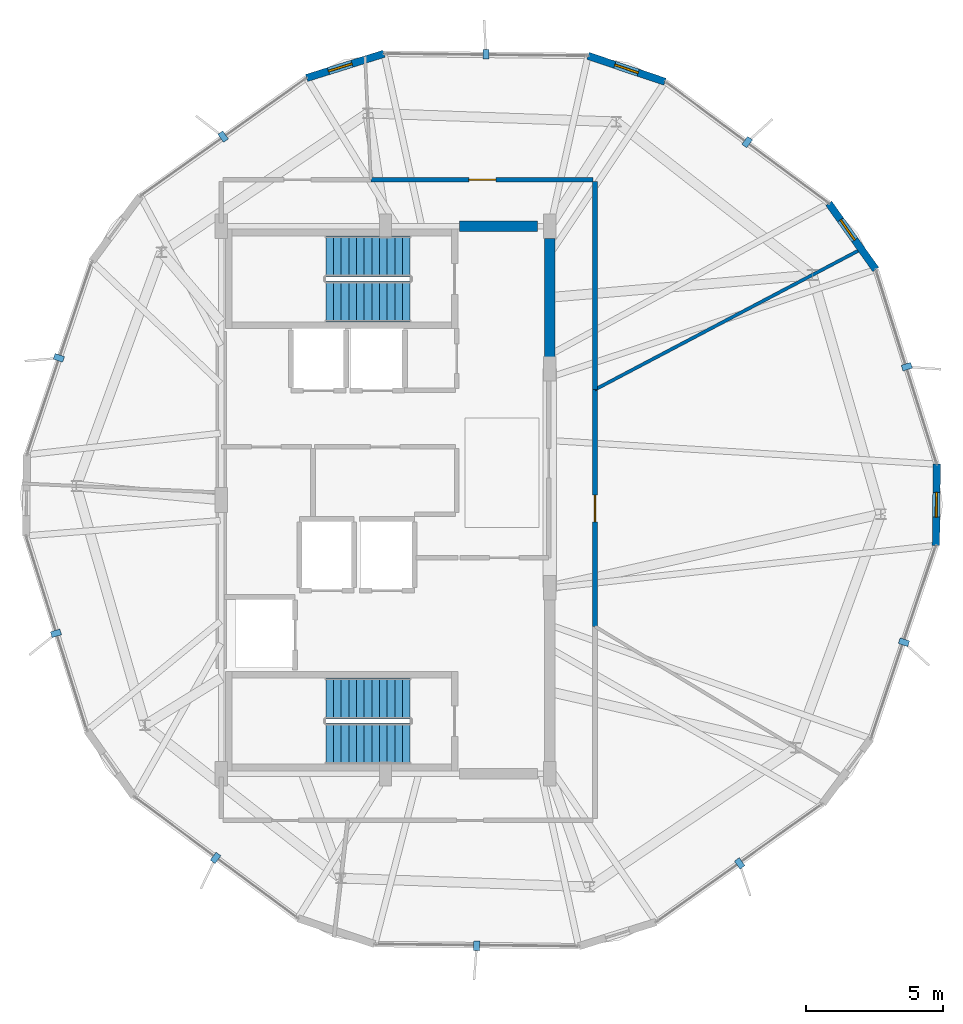
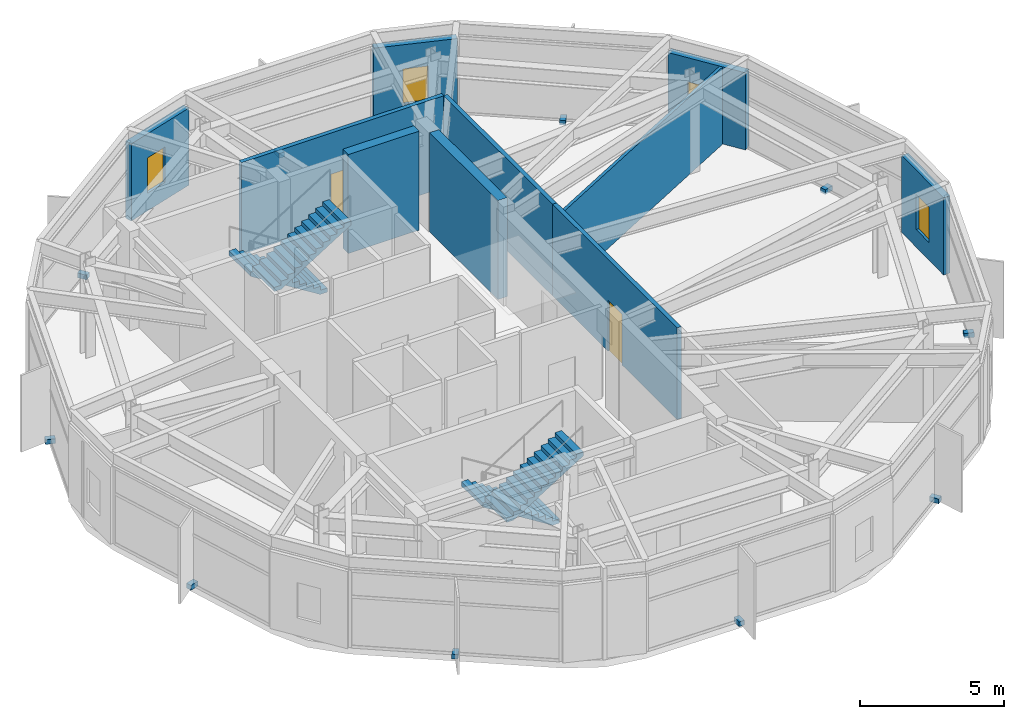
# One storey, part 16 of 19: 10 discrete accessories, 10 walls, 4 stair flights, 4 windows, 2 doors, 6 openings, 2 elements without a shape of their own.
"""IFC4 building model written with IfcOpenShell, lengths in metres."""

from ifc_helpers import new_model, si_unit, direction, frame, frame_2d, origin, origin_2d, place, context, subcontext, project, spatial, polyline, rectangle, outline, extrude, material, layer, layer_set, type_object, element, fill, aggregate, save


model = new_model("IFC4")

# Units and contexts
model_context = context("Model", 3, precision=1e-05, world=origin(), true_north=direction((0.0, 1.0)))
body_context = subcontext(model_context, "Body", "Model", "MODEL_VIEW")
ifc_project = project(units=[si_unit("LENGTHUNIT", "METRE"), si_unit("AREAUNIT", "SQUARE_METRE"), si_unit("VOLUMEUNIT", "CUBIC_METRE"), si_unit("PLANEANGLEUNIT", "RADIAN"), si_unit("MASSUNIT", "GRAM", prefix="KILO")], contexts=[model_context])

# Site, building, storey
site_placement = place(None, origin())
site = spatial("IfcSite", under=ifc_project, at=site_placement, CompositionType="ELEMENT")
building_placement = place(site_placement, origin())
building = spatial("IfcBuilding", under=site, at=building_placement, Name="Soratama Intermodal Tower", CompositionType="ELEMENT")
storey_placement = place(building_placement, frame((0.0, 0.0, 297.25)))
storey = spatial("IfcBuildingStorey", under=building, at=storey_placement, Name="L75", CompositionType="ELEMENT", Elevation=297.25)

# Wall, opening, window
ifc_material_1 = material(Name="Concrete f'c 42 MPa", Category="concrete")
ifc_layer_1 = layer(ifc_material_1, 0.27001953125)
ifc_layer_set_1 = layer_set([ifc_layer_1], Name="Concrete f'c 42 MPa")
wall_type_1 = type_object("IfcWallType", Name="EW-CRN-270", PredefinedType="SOLIDWALL", material=ifc_layer_set_1)
wall_1_placement = place(storey_placement, frame((38.5458984375, 41.30126953125, 0.0), z_axis=(0.0, 0.0, 1.0), x_axis=(-0.954232173164, -0.299066814772, 0.0)))
wall_1 = element("IfcWall", 1, at=wall_1_placement, inside=storey, type_object=wall_type_1, Name="L75 Corner Closure Wall 01", PredefinedType="SOLIDWALL", context=body_context, shape_type="SweptSolid", body=[
    extrude(rectangle(XDim=2.966552734375, YDim=0.27001953125, at=frame_2d((1.4833984375, 0.0))), origin(), (0.0, 0.0, 1.0), 3.27392578125),
])
opening_1_placement = place(wall_1_placement, frame((1.227783203125, 0.0, 0.75)))
opening_1 = element("IfcOpeningElement", 2, at=opening_1_placement, cuts=wall_1, Name="Opening WN-6", PredefinedType="OPENING", context=body_context, shape_type="SweptSolid", body=[
    extrude(rectangle(XDim=0.89990234375, YDim=1.5, at=frame_2d((0.449951171875, 0.75))), frame((0.0, 0.14501953125, 0.0), z_axis=(0.0, -1.0, 0.0), x_axis=(1.0, 0.0, 0.0)), (0.0, 0.0, 1.0), 0.2900390625),
])
ifc_material_2 = material(Name="Double-glazed aluminium window", Category="aluminium")
window_type = type_object("IfcWindowType", Name="WN-FAC-900", PartitioningType="SINGLE_PANEL", PredefinedType="WINDOW", material=ifc_material_2)
window_1_placement = place(opening_1_placement, origin())
window_1 = element("IfcWindow", 3, at=window_1_placement, inside=storey, type_object=window_type, Name="L75 Corner Window 01", OverallHeight=1.5, OverallWidth=0.89990234375, PartitioningType="SINGLE_PANEL", PredefinedType="WINDOW", context=body_context, shape_type="SweptSolid", body=[
    extrude(rectangle(XDim=0.89990234375, YDim=1.5, at=frame_2d((0.449951171875, 0.75))), frame((0.0, 0.030029296875, 0.0), z_axis=(0.0, -1.0, 0.0), x_axis=(1.0, 0.0, 0.0)), (0.0, 0.0, 1.0), 0.06005859375),
])
fill(opening_1, window_1)

wall_2_placement = place(storey_placement, frame((58.70166015625, 23.3427734375, 0.0), z_axis=(0.0, 0.0, 1.0), x_axis=(0.010452103923, 0.99994537527, 0.0)))
wall_2 = element("IfcWall", 4, at=wall_2_placement, inside=storey, type_object=wall_type_1, Name="L75 Corner Closure Wall 08", PredefinedType="SOLIDWALL", context=body_context, shape_type="SweptSolid", body=[
    extrude(rectangle(XDim=2.966552734375, YDim=0.27001953125, at=frame_2d((1.4833984375, 0.0))), origin(), (0.0, 0.0, 1.0), 3.27392578125),
])
opening_2_placement = place(wall_2_placement, frame((1.033203125, 0.0, 0.75)))
opening_2 = element("IfcOpeningElement", 5, at=opening_2_placement, cuts=wall_2, Name="Opening WN-6", PredefinedType="OPENING", context=body_context, shape_type="SweptSolid", body=[
    extrude(rectangle(XDim=0.89990234375, YDim=1.5, at=frame_2d((0.449951171875, 0.75))), frame((0.0, 0.14501953125, 0.0), z_axis=(0.0, -1.0, 0.0), x_axis=(1.0, 0.0, 0.0)), (0.0, 0.0, 1.0), 0.2900390625),
])
window_2_placement = place(opening_2_placement, origin())
window_2 = element("IfcWindow", 6, at=window_2_placement, inside=storey, type_object=window_type, Name="L75 Corner Window 08", OverallHeight=1.5, OverallWidth=0.89990234375, PartitioningType="SINGLE_PANEL", PredefinedType="WINDOW", context=body_context, shape_type="SweptSolid", body=[
    extrude(rectangle(XDim=0.89990234375, YDim=1.5, at=frame_2d((0.449951171875, 0.75))), frame((0.0, 0.030029296875, 0.0), z_axis=(0.0, -1.0, 0.0), x_axis=(1.0, 0.0, 0.0)), (0.0, 0.0, 1.0), 0.06005859375),
])
fill(opening_2, window_2)

wall_3_placement = place(storey_placement, frame((56.505126953125, 33.41748046875, 0.0), z_axis=(0.0, 0.0, 1.0), x_axis=(-0.579274768915, 0.81513234637, 0.0)))
wall_3 = element("IfcWall", 7, at=wall_3_placement, inside=storey, type_object=wall_type_1, Name="L75 Corner Closure Wall 09", PredefinedType="SOLIDWALL", context=body_context, shape_type="SweptSolid", body=[
    extrude(rectangle(XDim=2.966552734375, YDim=0.27001953125, at=frame_2d((1.4833984375, 0.0))), origin(), (0.0, 0.0, 1.0), 3.27392578125),
])
opening_3_placement = place(wall_3_placement, frame((1.324951171875, 0.0, 0.75)))
opening_3 = element("IfcOpeningElement", 8, at=opening_3_placement, cuts=wall_3, Name="Opening WN-6", PredefinedType="OPENING", context=body_context, shape_type="SweptSolid", body=[
    extrude(rectangle(XDim=0.89990234375, YDim=1.5, at=frame_2d((0.449951171875, 0.75))), frame((0.0, 0.14501953125, 0.0), z_axis=(0.0, -1.0, 0.0), x_axis=(1.0, 0.0, 0.0)), (0.0, 0.0, 1.0), 0.2900390625),
])
window_3_placement = place(opening_3_placement, origin())
window_3 = element("IfcWindow", 9, at=window_3_placement, inside=storey, type_object=window_type, Name="L75 Corner Window 09", OverallHeight=1.5, OverallWidth=0.89990234375, PartitioningType="SINGLE_PANEL", PredefinedType="WINDOW", context=body_context, shape_type="SweptSolid", body=[
    extrude(rectangle(XDim=0.89990234375, YDim=1.5, at=frame_2d((0.449951171875, 0.75))), frame((0.0, 0.030029296875, 0.0), z_axis=(0.0, -1.0, 0.0), x_axis=(1.0, 0.0, 0.0)), (0.0, 0.0, 1.0), 0.06005859375),
])
fill(opening_3, window_3)

wall_4_placement = place(storey_placement, frame((48.806396484375, 40.277099609375, 0.0), z_axis=(0.0, 0.0, 1.0), x_axis=(-0.947790765735, 0.318892872903, 0.0)))
wall_4 = element("IfcWall", 10, at=wall_4_placement, inside=storey, type_object=wall_type_1, Name="L75 Corner Closure Wall 10", PredefinedType="SOLIDWALL", context=body_context, shape_type="SweptSolid", body=[
    extrude(rectangle(XDim=2.966552734375, YDim=0.27001953125, at=frame_2d((1.4833984375, 0.0))), origin(), (0.0, 0.0, 1.0), 3.27392578125),
])
opening_4_placement = place(wall_4_placement, frame((1.033203125, 0.0, 0.75)))
opening_4 = element("IfcOpeningElement", 11, at=opening_4_placement, cuts=wall_4, Name="Opening WN-6", PredefinedType="OPENING", context=body_context, shape_type="SweptSolid", body=[
    extrude(rectangle(XDim=0.89990234375, YDim=1.5, at=frame_2d((0.449951171875, 0.75))), frame((0.0, 0.14501953125, 0.0), z_axis=(0.0, -1.0, 0.0), x_axis=(1.0, 0.0, 0.0)), (0.0, 0.0, 1.0), 0.2900390625),
])
window_4_placement = place(opening_4_placement, origin())
window_4 = element("IfcWindow", 12, at=window_4_placement, inside=storey, type_object=window_type, Name="L75 Corner Window 10", OverallHeight=1.5, OverallWidth=0.89990234375, PartitioningType="SINGLE_PANEL", PredefinedType="WINDOW", context=body_context, shape_type="SweptSolid", body=[
    extrude(rectangle(XDim=0.89990234375, YDim=1.5, at=frame_2d((0.449951171875, 0.75))), frame((0.0, 0.030029296875, 0.0), z_axis=(0.0, -1.0, 0.0), x_axis=(1.0, 0.0, 0.0)), (0.0, 0.0, 1.0), 0.06005859375),
])
fill(opening_4, window_4)

# Wall, opening, door
ifc_material_3 = material(Name="Fire-rated gypsum stud partition", Category="concrete")
ifc_layer_2 = layer(ifc_material_3, 0.169921875)
ifc_layer_set_2 = layer_set([ifc_layer_2], Name="Fire-rated gypsum stud partition")
wall_type_2 = type_object("IfcWallType", Name="IW-PART-R170", PredefinedType="PARTITIONING", material=ifc_layer_set_2)
wall_5_placement = place(storey_placement, frame((46.25, 29.034912109375, 0.0), z_axis=(0.0, 0.0, 1.0), x_axis=(0.0, -1.0, 0.0)))
wall_5 = element("IfcWall", 13, at=wall_5_placement, inside=storey, type_object=wall_type_2, Name="L75 Partition W-L75-TP004", PredefinedType="PARTITIONING", context=body_context, shape_type="SweptSolid", body=[
    extrude(rectangle(XDim=8.656005859375, YDim=0.169921875, at=frame_2d((4.328125, 0.0))), origin(), (0.0, 0.0, 1.0), 3.89501953125),
])
opening_5_placement = place(wall_5_placement, frame((3.85302734375, 0.0, 0.0)))
opening_5 = element("IfcOpeningElement", 14, at=opening_5_placement, cuts=wall_5, Name="Opening ID-5", PredefinedType="OPENING", context=body_context, shape_type="SweptSolid", body=[
    extrude(rectangle(XDim=0.97998046875, YDim=2.14990234375, at=frame_2d((0.489990234375, 1.074951171875))), frame((0.0, 0.094970703125, 0.0), z_axis=(0.0, -1.0, 0.0), x_axis=(1.0, 0.0, 0.0)), (0.0, 0.0, 1.0), 0.18994140625),
])
ifc_material_4 = material(Name="Solid hardwood acoustic door", Category="wood")
door_type = type_object("IfcDoorType", Name="DR-OFF-980", OperationType="NOTDEFINED", PredefinedType="DOOR", material=ifc_material_4)
door_1_placement = place(opening_5_placement, origin())
door_1 = element("IfcDoor", 15, at=door_1_placement, inside=storey, type_object=door_type, Name="L75 Door D-L75-TP002", OperationType="SINGLE_SWING_LEFT", OverallHeight=2.14990234375, OverallWidth=0.97998046875, PredefinedType="DOOR", context=body_context, shape_type="SweptSolid", body=[
    extrude(rectangle(XDim=0.97998046875, YDim=2.14990234375, at=frame_2d((0.489990234375, 1.074951171875))), frame((0.0, 0.02490234375, 0.0), z_axis=(0.0, -1.0, 0.0), x_axis=(1.0, 0.0, 0.0)), (0.0, 0.0, 1.0), 0.050048828125),
])
fill(opening_5, door_1)

wall_6_placement = place(storey_placement, frame((38.06005859375, 36.699951171875, 0.0), z_axis=(0.0, 0.0, 1.0), x_axis=(1.0, 0.0, 0.0)))
wall_6 = element("IfcWall", 16, at=wall_6_placement, inside=storey, type_object=wall_type_2, Name="L75 Partition W-L75-TP005", PredefinedType="PARTITIONING", context=body_context, shape_type="SweptSolid", body=[
    extrude(rectangle(XDim=8.119873046875, YDim=0.169921875, at=frame_2d((4.06005859375, 0.0))), origin(), (0.0, 0.0, 1.0), 3.89501953125),
])
opening_6_placement = place(wall_6_placement, frame((3.5849609375, 0.0, 0.0)))
opening_6 = element("IfcOpeningElement", 17, at=opening_6_placement, cuts=wall_6, Name="Opening ID-5", PredefinedType="OPENING", context=body_context, shape_type="SweptSolid", body=[
    extrude(rectangle(XDim=0.97998046875, YDim=2.14990234375, at=frame_2d((0.489990234375, 1.074951171875))), frame((0.0, 0.094970703125, 0.0), z_axis=(0.0, -1.0, 0.0), x_axis=(1.0, 0.0, 0.0)), (0.0, 0.0, 1.0), 0.18994140625),
])
door_2_placement = place(opening_6_placement, origin())
door_2 = element("IfcDoor", 18, at=door_2_placement, inside=storey, type_object=door_type, Name="L75 Door D-L75-TP003", OperationType="SINGLE_SWING_RIGHT", OverallHeight=2.14990234375, OverallWidth=0.97998046875, PredefinedType="DOOR", context=body_context, shape_type="SweptSolid", body=[
    extrude(rectangle(XDim=0.97998046875, YDim=2.14990234375, at=frame_2d((0.489990234375, 1.074951171875))), frame((0.0, 0.02490234375, 0.0), z_axis=(0.0, -1.0, 0.0), x_axis=(1.0, 0.0, 0.0)), (0.0, 0.0, 1.0), 0.050048828125),
])
fill(opening_6, door_2)

# Walls
wall_7_placement = place(storey_placement, frame((46.25, 36.6298828125, 0.0), z_axis=(0.0, 0.0, 1.0), x_axis=(0.0, -1.0, 0.0)))
element("IfcWall", 19, at=wall_7_placement, inside=storey, type_object=wall_type_2, Name="L75 Partition W-L75-TP006", PredefinedType="PARTITIONING", context=body_context, shape_type="SweptSolid", body=[
    extrude(rectangle(XDim=7.594970703125, YDim=0.169921875, at=frame_2d((3.79736328125, 0.0))), origin(), (0.0, 0.0, 1.0), 3.89501953125),
])
ifc_material_5 = material(Name="Fire-rated gypsum stud partition", Category="concrete")
ifc_layer_3 = layer(ifc_material_5, 0.1201171875)
ifc_layer_set_3 = layer_set([ifc_layer_3], Name="Fire-rated gypsum stud partition")
wall_type_3 = type_object("IfcWallType", Name="IW-PART-S120", PredefinedType="PARTITIONING", material=ifc_layer_set_3)
wall_8_placement = place(storey_placement, frame((56.10205078125, 34.22998046875, 0.0), z_axis=(0.0, 0.0, 1.0), x_axis=(-0.884556110355, -0.466433797697, 0.0)))
element("IfcWall", 20, at=wall_8_placement, inside=storey, type_object=wall_type_3, Name="L75 Partition W-L75-TP001", PredefinedType="PARTITIONING", context=body_context, shape_type="SweptSolid", body=[
    extrude(rectangle(XDim=11.137939453125, YDim=0.1201171875, at=frame_2d((5.56884765625, 0.0))), origin(), (0.0, 0.0, 1.0), 3.27294921875),
])
ifc_material_6 = material(Name="Concrete f'c 56 MPa", Category="concrete")
ifc_layer_4 = layer(ifc_material_6, 0.3798828125)
ifc_layer_set_4 = layer_set([ifc_layer_4], Name="Concrete f'c 56 MPa")
wall_type_4 = type_object("IfcWallType", Name="SW-CORE-380", PredefinedType="SHEAR", material=ifc_layer_set_4)
wall_9_placement = place(storey_placement, frame((41.300048828125, 35.0, 0.0), z_axis=(0.0, 0.0, 1.0), x_axis=(1.0, 0.0, 0.0)))
element("IfcWall", 21, at=wall_9_placement, inside=storey, type_object=wall_type_4, Name="L75 Core Shear Wall CW-NE", PredefinedType="SHEAR", context=body_context, shape_type="SweptSolid", body=[
    extrude(rectangle(XDim=2.849853515625, YDim=0.3798828125, at=frame_2d((1.4248046875, 0.0))), origin(), (0.0, 0.0, 1.0), 4.199951171875),
])
wall_10_placement = place(storey_placement, frame((44.60009765625, 29.800048828125, 0.0), z_axis=(0.0, 0.0, 1.0), x_axis=(0.0, 1.0, 0.0)))
element("IfcWall", 22, at=wall_10_placement, inside=storey, type_object=wall_type_4, Name="L75 Core Shear Wall CW-EN", PredefinedType="SHEAR", context=body_context, shape_type="SweptSolid", body=[
    extrude(rectangle(XDim=4.75, YDim=0.3798828125, at=frame_2d((2.375, 0.0))), origin(), (0.0, 0.0, 1.0), 4.199951171875),
])

# Stair, stair flights
ifc_material_7 = material(Name="Concrete f'c 42 MPa", Category="concrete")
stair_type = type_object("IfcStairType", Name="ST-CORE-DOGLEG", PredefinedType="HALF_TURN_STAIR", material=ifc_material_7)
stair_1_placement = place(storey_placement, origin())
stair_1 = element("IfcStair", 23, at=stair_1_placement, inside=storey, type_object=stair_type, Name="L75 ST-1", PredefinedType="HALF_TURN_STAIR")
ifc_material_8 = material(Name="Precast concrete f'c 40 MPa", Category="concrete")
ifc_layer_5 = layer(ifc_material_8, 0.199951171875)
ifc_layer_set_5 = layer_set([ifc_layer_5], Name="Precast concrete f'c 40 MPa")
stair_flight_type = type_object("IfcStairFlightType", Name="SF-FLIGHT-RC", PredefinedType="STRAIGHT", material=ifc_layer_set_5)
stair_flight_1_placement = place(storey_placement, frame((39.5, 17.75, 0.0), z_axis=(0.0, 0.0, 1.0), x_axis=(-1.0, 0.0, 0.0)))
stair_flight_1 = element("IfcStairFlight", 24, at=stair_flight_1_placement, type_object=stair_flight_type, Name="ST-1 flight 1", NumberOfRisers=12, NumberOfTreads=11, PredefinedType="STRAIGHT", RiserHeight=0.175, TreadLength=0.28, context=body_context, shape_type="SweptSolid", body=[
    extrude(outline(polyline([(0.0, 0.0), (0.0, 0.175048828125), (0.280029296875, 0.175048828125), (0.280029296875, 0.35009765625), (0.56005859375, 0.35009765625), (0.56005859375, 0.52490234375), (0.840087890625, 0.52490234375), (0.840087890625, 0.699951171875), (1.1201171875, 0.699951171875), (1.1201171875, 0.875), (1.39990234375, 0.875), (1.39990234375, 1.050048828125), (1.679931640625, 1.050048828125), (1.679931640625, 1.22509765625), (1.9599609375, 1.22509765625), (1.9599609375, 1.39990234375), (2.239990234375, 1.39990234375), (2.239990234375, 1.574951171875), (2.52001953125, 1.574951171875), (2.52001953125, 1.75), (2.800048828125, 1.75), (2.800048828125, 1.925048828125), (3.080078125, 1.925048828125), (3.080078125, 2.10009765625), (3.080078125, 1.748291015625), (0.28271484375, 0.0), (0.0, 0.0)])), frame((0.0, 0.75, 0.0), z_axis=(0.0, -1.0, 0.0), x_axis=(1.0, 0.0, 0.0)), (0.0, 0.0, 1.0), 1.5),
])
stair_flight_2_placement = place(storey_placement, frame((36.419921875, 16.10009765625, 2.10009765625), z_axis=(0.0, 0.0, 1.0), x_axis=(1.0, 0.0, 0.0)))
stair_flight_2 = element("IfcStairFlight", 25, at=stair_flight_2_placement, type_object=stair_flight_type, Name="ST-1 flight 2", NumberOfRisers=12, NumberOfTreads=11, PredefinedType="STRAIGHT", RiserHeight=0.175, TreadLength=0.28, context=body_context, shape_type="SweptSolid", body=[
    extrude(outline(polyline([(0.0, 0.0), (0.0, 0.175048828125), (0.280029296875, 0.175048828125), (0.280029296875, 0.35009765625), (0.56005859375, 0.35009765625), (0.56005859375, 0.52490234375), (0.840087890625, 0.52490234375), (0.840087890625, 0.699951171875), (1.1201171875, 0.699951171875), (1.1201171875, 0.875), (1.39990234375, 0.875), (1.39990234375, 1.050048828125), (1.679931640625, 1.050048828125), (1.679931640625, 1.22509765625), (1.9599609375, 1.22509765625), (1.9599609375, 1.39990234375), (2.239990234375, 1.39990234375), (2.239990234375, 1.574951171875), (2.52001953125, 1.574951171875), (2.52001953125, 1.75), (2.800048828125, 1.75), (2.800048828125, 1.925048828125), (3.080078125, 1.925048828125), (3.080078125, 2.10009765625), (3.080078125, 1.748291015625), (0.28271484375, 0.0), (0.0, 0.0)])), frame((0.0, 0.75, 0.0), z_axis=(0.0, -1.0, 0.0), x_axis=(1.0, 0.0, 0.0)), (0.0, 0.0, 1.0), 1.5),
])
aggregate(stair_1, [stair_flight_1, stair_flight_2])

stair_2_placement = place(storey_placement, origin())
stair_2 = element("IfcStair", 26, at=stair_2_placement, inside=storey, type_object=stair_type, Name="L75 ST-2", PredefinedType="HALF_TURN_STAIR")
stair_flight_3_placement = place(storey_placement, frame((39.5, 33.89990234375, 0.0), z_axis=(0.0, 0.0, 1.0), x_axis=(-1.0, 0.0, 0.0)))
stair_flight_3 = element("IfcStairFlight", 27, at=stair_flight_3_placement, type_object=stair_flight_type, Name="ST-2 flight 1", NumberOfRisers=12, NumberOfTreads=11, PredefinedType="STRAIGHT", RiserHeight=0.175, TreadLength=0.28, context=body_context, shape_type="SweptSolid", body=[
    extrude(outline(polyline([(0.0, 0.0), (0.0, 0.175048828125), (0.280029296875, 0.175048828125), (0.280029296875, 0.35009765625), (0.56005859375, 0.35009765625), (0.56005859375, 0.52490234375), (0.840087890625, 0.52490234375), (0.840087890625, 0.699951171875), (1.1201171875, 0.699951171875), (1.1201171875, 0.875), (1.39990234375, 0.875), (1.39990234375, 1.050048828125), (1.679931640625, 1.050048828125), (1.679931640625, 1.22509765625), (1.9599609375, 1.22509765625), (1.9599609375, 1.39990234375), (2.239990234375, 1.39990234375), (2.239990234375, 1.574951171875), (2.52001953125, 1.574951171875), (2.52001953125, 1.75), (2.800048828125, 1.75), (2.800048828125, 1.925048828125), (3.080078125, 1.925048828125), (3.080078125, 2.10009765625), (3.080078125, 1.748291015625), (0.28271484375, 0.0), (0.0, 0.0)])), frame((0.0, 0.75, 0.0), z_axis=(0.0, -1.0, 0.0), x_axis=(1.0, 0.0, 0.0)), (0.0, 0.0, 1.0), 1.5),
])
stair_flight_4_placement = place(storey_placement, frame((36.419921875, 32.25, 2.10009765625), z_axis=(0.0, 0.0, 1.0), x_axis=(1.0, 0.0, 0.0)))
stair_flight_4 = element("IfcStairFlight", 28, at=stair_flight_4_placement, type_object=stair_flight_type, Name="ST-2 flight 2", NumberOfRisers=12, NumberOfTreads=11, PredefinedType="STRAIGHT", RiserHeight=0.175, TreadLength=0.28, context=body_context, shape_type="SweptSolid", body=[
    extrude(outline(polyline([(0.0, 0.0), (0.0, 0.175048828125), (0.280029296875, 0.175048828125), (0.280029296875, 0.35009765625), (0.56005859375, 0.35009765625), (0.56005859375, 0.52490234375), (0.840087890625, 0.52490234375), (0.840087890625, 0.699951171875), (1.1201171875, 0.699951171875), (1.1201171875, 0.875), (1.39990234375, 0.875), (1.39990234375, 1.050048828125), (1.679931640625, 1.050048828125), (1.679931640625, 1.22509765625), (1.9599609375, 1.22509765625), (1.9599609375, 1.39990234375), (2.239990234375, 1.39990234375), (2.239990234375, 1.574951171875), (2.52001953125, 1.574951171875), (2.52001953125, 1.75), (2.800048828125, 1.75), (2.800048828125, 1.925048828125), (3.080078125, 1.925048828125), (3.080078125, 2.10009765625), (3.080078125, 1.748291015625), (0.28271484375, 0.0), (0.0, 0.0)])), frame((0.0, 0.75, 0.0), z_axis=(0.0, -1.0, 0.0), x_axis=(1.0, 0.0, 0.0)), (0.0, 0.0, 1.0), 1.5),
])
aggregate(stair_2, [stair_flight_3, stair_flight_4])

# Discrete accessories
ifc_material_9 = material(Name="Structural steel ASTM A992 Grade 50", Category="steel")
discrete_accessory_type = type_object("IfcDiscreteAccessoryType", Name="AC-FIN-BRACKET", PredefinedType="BRACKET", material=ifc_material_9)
for number, where, z_axis, x_axis, name in (
    (29, (42.2705078125, 41.2822265625, -0.080078125), (0.0, 0.0, 1.0), (0.010471784116, 0.999945169366, 0.0), "L75 Fin Bracket F01-1"),
    (30, (32.66748046875, 38.272705078125, -0.080078125), (0.0, 0.0, 1.0), (-0.579281172343, 0.815127795729, 0.0), "L75 Fin Bracket F02-1"),
    (31, (26.66748046875, 30.193603515625, -0.080078125), (0.0, 0.0, 1.0), (-0.94776841001, 0.318959309298, 0.0), "L75 Fin Bracket F03-1"),
    (32, (26.56201171875, 20.130615234375, -0.080078125), (0.0, 0.0, 1.0), (-0.954240328516, -0.299040792256, 0.0), "L75 Fin Bracket F04-1"),
    (33, (32.3916015625, 11.927490234375, -0.080078125), (0.0, 0.0, 1.0), (-0.596224874966, -0.802817475191, 0.0), "L75 Fin Bracket F05-1"),
    (34, (41.929443359375, 8.7177734375, -0.080078125), (0.0, 0.0, 1.0), (-0.010471784116, -0.999945169366, 0.0), "L75 Fin Bracket F06-1"),
    (35, (51.532470703125, 11.727294921875, -0.080078125), (0.0, 0.0, 1.0), (0.579281172343, -0.815127795729, 0.0), "L75 Fin Bracket F07-1"),
    (36, (57.53271484375, 19.806396484375, -0.080078125), (0.0, 0.0, 1.0), (0.94776841001, -0.318959309298, 0.0), "L75 Fin Bracket F08-1"),
    (37, (57.637939453125, 29.869384765625, -0.080078125), (0.0, 0.0, 1.0), (0.954240328516, 0.299040792256, 0.0), "L75 Fin Bracket F09-1"),
    (38, (51.808349609375, 38.072509765625, -0.080078125), (0.0, 0.0, 1.0), (0.596224874966, 0.802817475191, 0.0), "L75 Fin Bracket F10-1"),
):
    element("IfcDiscreteAccessory", number, at=place(storey_placement, frame(where, z_axis=z_axis, x_axis=x_axis)), inside=storey, type_object=discrete_accessory_type, Name=name, PredefinedType="BRACKET", context=body_context, shape_type="SweptSolid", body=[
        extrude(rectangle(XDim=0.360107421875, YDim=0.219970703125, at=origin_2d()), origin(), (0.0, 0.0, 1.0), 0.199951171875),
    ])

save(model, "model.ifc")
